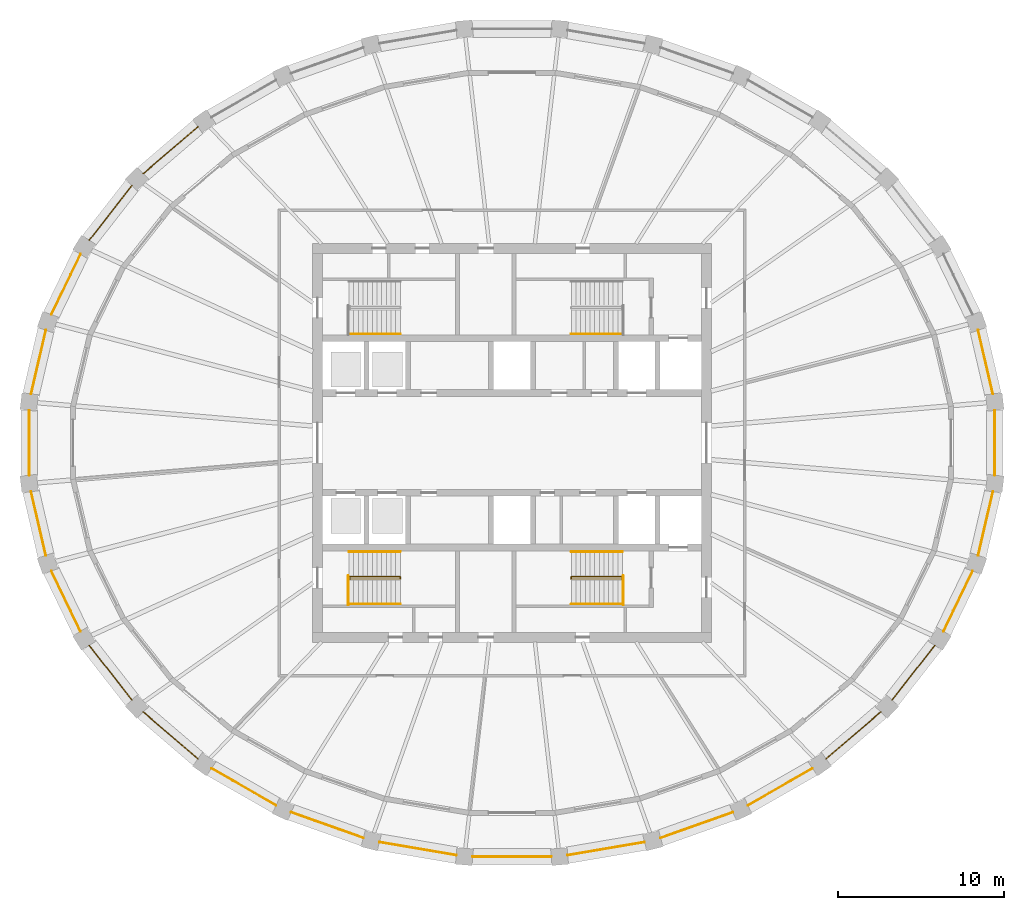
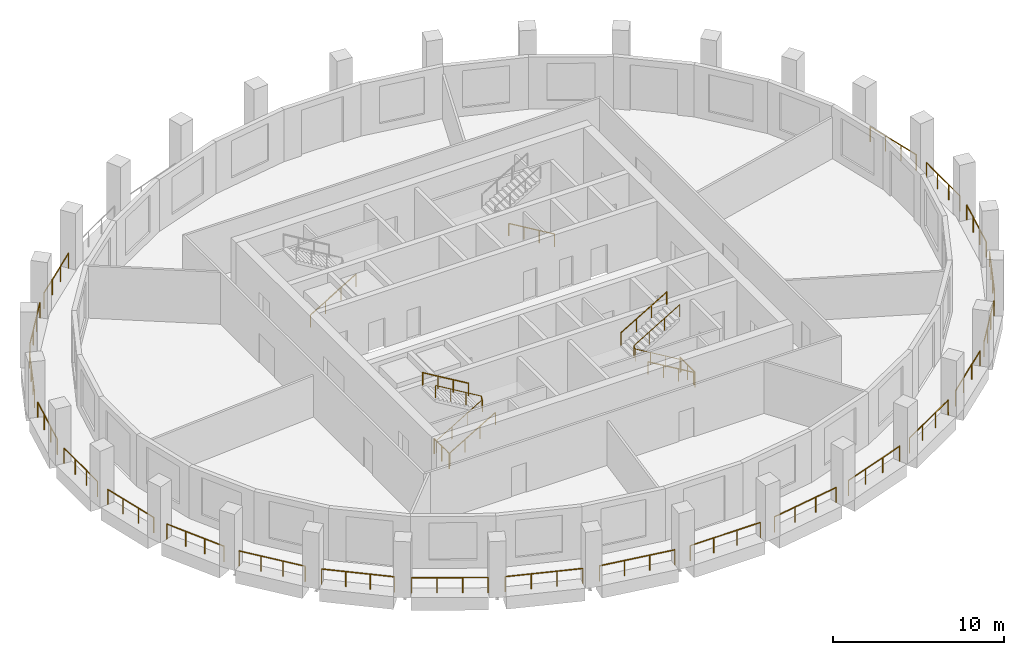
# One storey, part 8 of 10: 32 railings.
"""IFC4 building model written with IfcOpenShell, lengths in metres."""

import ifcopenshell
import ifcopenshell.guid

model = None  # the IFC model being written
_history = None  # IfcOwnerHistory: only IFC2X3 demands one
_inside = {}  # id of a spatial element -> (the spatial element, [elements in it])
_under = {}  # id of a project, library or spatial element -> (it, [spatial elements below it])
_declared = {}  # id of a project -> (the project, [libraries it declares])
_typed = {}  # id of a type object -> (the type object, [elements of that type])
_made_of = {}  # id of a material, layer set ... -> (it, [elements and type objects made of it])


def new_model(schema):
    """Start an empty IFC model of exactly this schema.

    Asked for "IFC4X3", IfcOpenShell would pick the latest addendum, in which some entities
    have other attributes; the version numbers below select the first issue.
    IFC2X3 requires an IfcOwnerHistory on every rooted entity: one is made here for all.
    """
    global model, _history
    if schema == "IFC4X3":
        model = ifcopenshell.file(schema_version=(4, 3, 0, 0))
    else:
        model = ifcopenshell.file(schema=schema)
    _inside.clear()
    _under.clear()
    _declared.clear()
    _typed.clear()
    _made_of.clear()
    _history = None
    if model.schema == "IFC2X3":
        org = make("IfcOrganization", Name="unknown")
        user = make(
            "IfcPersonAndOrganization",
            ThePerson=make("IfcPerson", FamilyName="unknown"),
            TheOrganization=org,
        )
        app = make(
            "IfcApplication",
            ApplicationDeveloper=org,
            Version="unknown",
            ApplicationFullName="unknown",
            ApplicationIdentifier="unknown",
        )
        _history = make(
            "IfcOwnerHistory",
            OwningUser=user,
            OwningApplication=app,
            ChangeAction="ADDED",
            CreationDate=0,
        )
    return model


def make(cls, **values):
    """One entity of the class cls with the attributes given. An attribute that is None is left unset."""
    return model.create_entity(
        cls, **{name: value for name, value in values.items() if value is not None}
    )


def rooted(cls, **values):
    """An entity with a GlobalId (a new one), such as an element, a storey or a relation."""
    return make(cls, GlobalId=ifcopenshell.guid.new(), OwnerHistory=_history, **values)


def si_unit(unit_type, name, prefix=None):
    """IfcSIUnit, for example si_unit("LENGTHUNIT", "METRE", prefix="MILLI")."""
    return make("IfcSIUnit", UnitType=unit_type, Prefix=prefix, Name=name)


def assignment(units):
    """IfcUnitAssignment: the units of a project."""
    return None if units is None else make("IfcUnitAssignment", Units=units)


def point(xyz):
    """IfcCartesianPoint."""
    return None if xyz is None else make("IfcCartesianPoint", Coordinates=xyz)


def direction(xyz):
    """IfcDirection."""
    return None if xyz is None else make("IfcDirection", DirectionRatios=xyz)


def frame(location, z_axis=None, x_axis=None):
    """IfcAxis2Placement3D, a coordinate frame: its origin and axes. An axis left out is left unset."""
    return make(
        "IfcAxis2Placement3D",
        Location=point(location),
        Axis=direction(z_axis),
        RefDirection=direction(x_axis),
    )


def frame_2d(location, x_axis=None):
    """IfcAxis2Placement2D, a coordinate frame in the plane: its origin and x axis."""
    return make(
        "IfcAxis2Placement2D", Location=point(location), RefDirection=direction(x_axis)
    )


def origin():
    """The frame at (0, 0, 0) with its axes left unset."""
    return frame((0.0, 0.0, 0.0))


def origin_2d():
    """The frame at (0, 0) in the plane with its x axis left unset."""
    return frame_2d((0.0, 0.0))


def place(relative_to, where):
    """IfcLocalPlacement: puts the frame where relative to a parent placement (None: the world)."""
    return make(
        "IfcLocalPlacement", PlacementRelTo=relative_to, RelativePlacement=where
    )


def context(
    kind, dimensions, precision=None, world=None, true_north=None, identifier=None
):
    """IfcGeometricRepresentationContext, for example the 3D "Model" context."""
    return make(
        "IfcGeometricRepresentationContext",
        ContextIdentifier=identifier,
        ContextType=kind,
        CoordinateSpaceDimension=dimensions,
        Precision=precision,
        WorldCoordinateSystem=world,
        TrueNorth=true_north,
    )


def subcontext(parent, identifier, kind, view, scale=None):
    """IfcGeometricRepresentationSubContext, for example "Body" below "Model"."""
    return make(
        "IfcGeometricRepresentationSubContext",
        ContextIdentifier=identifier,
        ContextType=kind,
        ParentContext=parent,
        TargetScale=scale,
        TargetView=view,
    )


def project(units=None, contexts=None):
    """IfcProject with its units and contexts."""
    return rooted(
        "IfcProject",
        Name="project",
        RepresentationContexts=contexts,
        UnitsInContext=assignment(units),
    )


def spatial(cls, under=None, at=None, **own):
    """A site, building, storey or space (cls), placed at a placement, below another one or the project."""
    s = rooted(cls, ObjectPlacement=at, **own)
    if under is not None:
        _under.setdefault(under.id(), (under, []))[1].append(s)
    return s


def profile(cls, at=None, kind="AREA", **sizes):
    """A parametric profile (cls). Its sizes go by their IFC names, for example OverallWidth=200.0."""
    return make(cls, ProfileType=kind, Position=at, **sizes)


def circle(**sizes):
    """IfcCircleProfileDef."""
    return profile("IfcCircleProfileDef", **sizes)


def extrude(swept, where, along, depth):
    """IfcExtrudedAreaSolid: the profile swept, set in the frame where, extruded along a direction by depth."""
    return make(
        "IfcExtrudedAreaSolid",
        SweptArea=swept,
        Position=where,
        ExtrudedDirection=direction(along),
        Depth=depth,
    )


def shape(context_of_items, identifier, shape_type, items):
    """IfcShapeRepresentation: the items that make up one representation, for example the "Body"."""
    return make(
        "IfcShapeRepresentation",
        ContextOfItems=context_of_items,
        RepresentationIdentifier=identifier,
        RepresentationType=shape_type,
        Items=items,
    )


def material(Name=None, Category=None):
    """IfcMaterial."""
    return make("IfcMaterial", Name=Name, Category=Category)


def made_of(thing, what):
    """Note that an element or type object is made of a material, layer set ...; save() writes the relation."""
    if what is not None:
        _made_of.setdefault(what.id(), (what, []))[1].append(thing)
    return thing


def type_object(cls, material=None, **own):
    """A type object (cls), such as IfcWallType, which elements share."""
    return made_of(rooted(cls, **own), material)


def element(
    cls,
    number,
    at=None,
    inside=None,
    cuts=None,
    type_object=None,
    material=None,
    context=None,
    identifier="Body",
    shape_type=None,
    held_by="IfcProductDefinitionShape",
    body=None,
    shapes=None,
    **own,
):
    """One element of the class cls, such as IfcWall. Its Tag is "e" and its number.

    at: its placement. inside: the storey or other place that contains it. cuts: it is an
    opening in that element (IfcRelVoidsElement). A single representation is given by context,
    identifier, shape_type and body (its items); several are given by shapes. held_by: the class
    of the entity that holds the representations. save() writes the other relations.
    """
    e = rooted(cls, Tag="e%d" % number, ObjectPlacement=at, **own)
    if body is not None:
        shapes = [shape(context, identifier, shape_type, body)]
    if shapes is not None:
        e.Representation = make(held_by, Representations=shapes)
    if inside is not None:
        _inside.setdefault(inside.id(), (inside, []))[1].append(e)
    if cuts is not None:
        rooted(
            "IfcRelVoidsElement", RelatingBuildingElement=cuts, RelatedOpeningElement=e
        )
    if type_object is not None:
        _typed.setdefault(type_object.id(), (type_object, []))[1].append(e)
    return made_of(e, material)


def aggregate(whole, parts):
    """IfcRelAggregates: a whole, such as a stair, and the parts it consists of."""
    return rooted("IfcRelAggregates", RelatingObject=whole, RelatedObjects=parts)


def save(model, path):
    """Write the relations noted so far, then the file.

    IfcRelAggregates (storeys below a building ...), IfcRelContainedInSpatialStructure (elements
    in a storey), IfcRelDefinesByType, IfcRelAssociatesMaterial and IfcRelDeclares: one each for
    every whole, place, type object, material and project.
    """
    for whole, parts in _under.values():
        aggregate(whole, parts)
    for where, things in _inside.values():
        rooted(
            "IfcRelContainedInSpatialStructure",
            RelatedElements=things,
            RelatingStructure=where,
        )
    for kind, things in _typed.values():
        rooted("IfcRelDefinesByType", RelatedObjects=things, RelatingType=kind)
    for what, things in _made_of.values():
        rooted("IfcRelAssociatesMaterial", RelatedObjects=things, RelatingMaterial=what)
    for by, libraries in _declared.values():
        rooted("IfcRelDeclares", RelatingContext=by, RelatedDefinitions=libraries)
    model.write(path)


model = new_model("IFC4")

# Units and contexts
model_context = context("Model", 3, precision=1e-05, world=origin(), true_north=direction((0.0, 1.0)))
body_context = subcontext(model_context, "Body", "Model", "MODEL_VIEW")
ifc_project = project(units=[si_unit("LENGTHUNIT", "METRE"), si_unit("AREAUNIT", "SQUARE_METRE"), si_unit("VOLUMEUNIT", "CUBIC_METRE"), si_unit("PLANEANGLEUNIT", "RADIAN"), si_unit("MASSUNIT", "GRAM", prefix="KILO")], contexts=[model_context])

# Site, building, storey
site_placement = place(None, origin())
site = spatial("IfcSite", under=ifc_project, at=site_placement, CompositionType="ELEMENT")
building_placement = place(site_placement, origin())
building = spatial("IfcBuilding", under=site, at=building_placement, Name="Halqa Exchange Tower", CompositionType="ELEMENT")
storey_placement = place(building_placement, frame((0.0, 0.0, 296.300048828125)))
storey = spatial("IfcBuildingStorey", under=building, at=storey_placement, Name="L69", CompositionType="ELEMENT", Elevation=296.300048828125)

# Railings
ifc_material = material(Name="Stainless steel", Category="steel")
railing_type_1 = type_object("IfcRailingType", Name="Guard 1100 stainless steel", PredefinedType="GUARDRAIL", material=ifc_material)
railing_1_placement = place(storey_placement, frame((28.9306640625, 2.93896484375, 0.0)))
element("IfcRailing", 1, at=railing_1_placement, inside=storey, type_object=railing_type_1, Name="Loggia guard 1", PredefinedType="GUARDRAIL", context=body_context, shape_type="SweptSolid", body=[
    extrude(circle(Radius=0.02392578125, at=origin_2d()), frame((0.0, 0.0, 1.076171875), z_axis=(-0.22607297296, 0.974110368951, 0.0), x_axis=(-0.974110368951, -0.22607297296, 0.0)), (0.0, 0.0, 1.0), 3.9375),
    extrude(circle(Radius=0.02099609375, at=origin_2d()), origin(), (0.0, 0.0, 1.0), 1.052001953125),
    extrude(circle(Radius=0.02099609375, at=origin_2d()), frame((-0.296630859375, 1.278564453125, 0.0)), (0.0, 0.0, 1.0), 1.052001953125),
    extrude(circle(Radius=0.02099609375, at=origin_2d()), frame((-0.593505859375, 2.556884765625, 0.0)), (0.0, 0.0, 1.0), 1.052001953125),
    extrude(circle(Radius=0.02099609375, at=origin_2d()), frame((-0.89013671875, 3.83544921875, 0.0)), (0.0, 0.0, 1.0), 1.052001953125),
])
railing_2_placement = place(storey_placement, frame((-18.893798828125, 19.011474609375, 0.0)))
element("IfcRailing", 2, at=railing_2_placement, inside=storey, type_object=railing_type_1, Name="Loggia guard 12", PredefinedType="GUARDRAIL", context=body_context, shape_type="SweptSolid", body=[
    extrude(circle(Radius=0.02392578125, at=origin_2d()), frame((0.0, 0.0, 1.076171875), z_axis=(-0.759256602365, -0.650791373456, 0.0), x_axis=(0.650791373456, -0.759256602365, 0.0)), (0.0, 0.0, 1.0), 4.328369140625),
    extrude(circle(Radius=0.02099609375, at=origin_2d()), origin(), (0.0, 0.0, 1.0), 1.052001953125),
    extrude(circle(Radius=0.02099609375, at=origin_2d()), frame((-1.095458984375, -0.93896484375, 0.0)), (0.0, 0.0, 1.0), 1.052001953125),
    extrude(circle(Radius=0.02099609375, at=origin_2d()), frame((-2.19091796875, -1.8779296875, 0.0)), (0.0, 0.0, 1.0), 1.052001953125),
    extrude(circle(Radius=0.02099609375, at=origin_2d()), frame((-3.286376953125, -2.81689453125, 0.0)), (0.0, 0.0, 1.0), 1.052001953125),
])
railing_3_placement = place(storey_placement, frame((-22.8671875, 15.47509765625, 0.0)))
element("IfcRailing", 3, at=railing_3_placement, inside=storey, type_object=railing_type_1, Name="Loggia guard 13", PredefinedType="GUARDRAIL", context=body_context, shape_type="SweptSolid", body=[
    extrude(circle(Radius=0.02392578125, at=origin_2d()), frame((0.0, 0.0, 1.076171875), z_axis=(-0.614799536048, -0.788683415875, 0.0), x_axis=(0.788683415875, -0.614799536048, 0.0)), (0.0, 0.0, 1.0), 4.169921875),
    extrude(circle(Radius=0.02099609375, at=origin_2d()), origin(), (0.0, 0.0, 1.0), 1.052001953125),
    extrude(circle(Radius=0.02099609375, at=origin_2d()), frame((-0.8544921875, -1.09619140625, 0.0)), (0.0, 0.0, 1.0), 1.052001953125),
    extrude(circle(Radius=0.02099609375, at=origin_2d()), frame((-1.709228515625, -2.192626953125, 0.0)), (0.0, 0.0, 1.0), 1.052001953125),
    extrude(circle(Radius=0.02099609375, at=origin_2d()), frame((-2.563720703125, -3.288818359375, 0.0)), (0.0, 0.0, 1.0), 1.052001953125),
])
railing_4_placement = place(storey_placement, frame((-25.955810546875, 11.341796875, 0.0)))
element("IfcRailing", 4, at=railing_4_placement, inside=storey, type_object=railing_type_1, Name="Loggia guard 14", PredefinedType="GUARDRAIL", context=body_context, shape_type="SweptSolid", body=[
    extrude(circle(Radius=0.02392578125, at=origin_2d()), frame((0.0, 0.0, 1.076171875), z_axis=(-0.435086028239, -0.90038888711, 0.0), x_axis=(0.90038888711, -0.435086028239, 0.0)), (0.0, 0.0, 1.0), 4.03173828125),
    extrude(circle(Radius=0.02099609375, at=origin_2d()), origin(), (0.0, 0.0, 1.0), 1.052001953125),
    extrude(circle(Radius=0.02099609375, at=origin_2d()), frame((-0.584716796875, -1.2099609375, 0.0)), (0.0, 0.0, 1.0), 1.052001953125),
    extrude(circle(Radius=0.02099609375, at=origin_2d()), frame((-1.16943359375, -2.420166015625, 0.0)), (0.0, 0.0, 1.0), 1.052001953125),
    extrude(circle(Radius=0.02099609375, at=origin_2d()), frame((-1.754150390625, -3.630126953125, 0.0)), (0.0, 0.0, 1.0), 1.052001953125),
])
railing_5_placement = place(storey_placement, frame((-28.04052734375, 6.7744140625, 0.0)))
element("IfcRailing", 5, at=railing_5_placement, inside=storey, type_object=railing_type_1, Name="Loggia guard 15", PredefinedType="GUARDRAIL", context=body_context, shape_type="SweptSolid", body=[
    extrude(circle(Radius=0.02392578125, at=origin_2d()), frame((0.0, 0.0, 1.076171875), z_axis=(-0.22607297296, -0.974110368951, 0.0), x_axis=(0.974110368951, -0.22607297296, 0.0)), (0.0, 0.0, 1.0), 3.9375),
    extrude(circle(Radius=0.02099609375, at=origin_2d()), origin(), (0.0, 0.0, 1.0), 1.052001953125),
    extrude(circle(Radius=0.02099609375, at=origin_2d()), frame((-0.296630859375, -1.278564453125, 0.0)), (0.0, 0.0, 1.0), 1.052001953125),
    extrude(circle(Radius=0.02099609375, at=origin_2d()), frame((-0.593505859375, -2.556884765625, 0.0)), (0.0, 0.0, 1.0), 1.052001953125),
    extrude(circle(Radius=0.02099609375, at=origin_2d()), frame((-0.89013671875, -3.83544921875, 0.0)), (0.0, 0.0, 1.0), 1.052001953125),
])
railing_6_placement = place(storey_placement, frame((-29.043701171875, 1.951904296875, 0.0)))
element("IfcRailing", 6, at=railing_6_placement, inside=storey, type_object=railing_type_1, Name="Loggia guard 16", PredefinedType="GUARDRAIL", context=body_context, shape_type="SweptSolid", body=[
    extrude(circle(Radius=0.02392578125, at=origin_2d()), frame((0.0, 0.0, 1.076171875), z_axis=(0.0, -1.0, 0.0), x_axis=(1.0, 0.0, 0.0)), (0.0, 0.0, 1.0), 3.90380859375),
    extrude(circle(Radius=0.02099609375, at=origin_2d()), origin(), (0.0, 0.0, 1.0), 1.052001953125),
    extrude(circle(Radius=0.02099609375, at=origin_2d()), frame((0.0, -1.30126953125, 0.0)), (0.0, 0.0, 1.0), 1.052001953125),
    extrude(circle(Radius=0.02099609375, at=origin_2d()), frame((0.0, -2.6025390625, 0.0)), (0.0, 0.0, 1.0), 1.052001953125),
    extrude(circle(Radius=0.02099609375, at=origin_2d()), frame((0.0, -3.90380859375, 0.0)), (0.0, 0.0, 1.0), 1.052001953125),
])
railing_7_placement = place(storey_placement, frame((-28.9306640625, -2.93896484375, 0.0)))
element("IfcRailing", 7, at=railing_7_placement, inside=storey, type_object=railing_type_1, Name="Loggia guard 17", PredefinedType="GUARDRAIL", context=body_context, shape_type="SweptSolid", body=[
    extrude(circle(Radius=0.02392578125, at=origin_2d()), frame((0.0, 0.0, 1.076171875), z_axis=(0.22607297296, -0.974110368951, 0.0), x_axis=(0.974110368951, 0.22607297296, 0.0)), (0.0, 0.0, 1.0), 3.9375),
    extrude(circle(Radius=0.02099609375, at=origin_2d()), origin(), (0.0, 0.0, 1.0), 1.052001953125),
    extrude(circle(Radius=0.02099609375, at=origin_2d()), frame((0.296630859375, -1.278564453125, 0.0)), (0.0, 0.0, 1.0), 1.052001953125),
    extrude(circle(Radius=0.02099609375, at=origin_2d()), frame((0.593505859375, -2.556884765625, 0.0)), (0.0, 0.0, 1.0), 1.052001953125),
    extrude(circle(Radius=0.02099609375, at=origin_2d()), frame((0.89013671875, -3.83544921875, 0.0)), (0.0, 0.0, 1.0), 1.052001953125),
])
railing_8_placement = place(storey_placement, frame((-27.7099609375, -7.711669921875, 0.0)))
element("IfcRailing", 8, at=railing_8_placement, inside=storey, type_object=railing_type_1, Name="Loggia guard 18", PredefinedType="GUARDRAIL", context=body_context, shape_type="SweptSolid", body=[
    extrude(circle(Radius=0.02392578125, at=origin_2d()), frame((0.0, 0.0, 1.076171875), z_axis=(0.435086028239, -0.90038888711, 0.0), x_axis=(0.90038888711, 0.435086028239, 0.0)), (0.0, 0.0, 1.0), 4.03173828125),
    extrude(circle(Radius=0.02099609375, at=origin_2d()), origin(), (0.0, 0.0, 1.0), 1.052001953125),
    extrude(circle(Radius=0.02099609375, at=origin_2d()), frame((0.584716796875, -1.2099609375, 0.0)), (0.0, 0.0, 1.0), 1.052001953125),
    extrude(circle(Radius=0.02099609375, at=origin_2d()), frame((1.16943359375, -2.420166015625, 0.0)), (0.0, 0.0, 1.0), 1.052001953125),
    extrude(circle(Radius=0.02099609375, at=origin_2d()), frame((1.754150390625, -3.630126953125, 0.0)), (0.0, 0.0, 1.0), 1.052001953125),
])
railing_9_placement = place(storey_placement, frame((-25.430908203125, -12.186279296875, 0.0)))
element("IfcRailing", 9, at=railing_9_placement, inside=storey, type_object=railing_type_1, Name="Loggia guard 19", PredefinedType="GUARDRAIL", context=body_context, shape_type="SweptSolid", body=[
    extrude(circle(Radius=0.02392578125, at=origin_2d()), frame((0.0, 0.0, 1.076171875), z_axis=(0.614799536048, -0.788683415875, 0.0), x_axis=(0.788683415875, 0.614799536048, 0.0)), (0.0, 0.0, 1.0), 4.169921875),
    extrude(circle(Radius=0.02099609375, at=origin_2d()), origin(), (0.0, 0.0, 1.0), 1.052001953125),
    extrude(circle(Radius=0.02099609375, at=origin_2d()), frame((0.8544921875, -1.09619140625, 0.0)), (0.0, 0.0, 1.0), 1.052001953125),
    extrude(circle(Radius=0.02099609375, at=origin_2d()), frame((1.709228515625, -2.192626953125, 0.0)), (0.0, 0.0, 1.0), 1.052001953125),
    extrude(circle(Radius=0.02099609375, at=origin_2d()), frame((2.563720703125, -3.288818359375, 0.0)), (0.0, 0.0, 1.0), 1.052001953125),
])
railing_10_placement = place(storey_placement, frame((-22.18017578125, -16.194580078125, 0.0)))
element("IfcRailing", 10, at=railing_10_placement, inside=storey, type_object=railing_type_1, Name="Loggia guard 20", PredefinedType="GUARDRAIL", context=body_context, shape_type="SweptSolid", body=[
    extrude(circle(Radius=0.02392578125, at=origin_2d()), frame((0.0, 0.0, 1.076171875), z_axis=(0.759256602365, -0.650791373456, 0.0), x_axis=(0.650791373456, 0.759256602365, 0.0)), (0.0, 0.0, 1.0), 4.328369140625),
    extrude(circle(Radius=0.02099609375, at=origin_2d()), origin(), (0.0, 0.0, 1.0), 1.052001953125),
    extrude(circle(Radius=0.02099609375, at=origin_2d()), frame((1.095458984375, -0.93896484375, 0.0)), (0.0, 0.0, 1.0), 1.052001953125),
    extrude(circle(Radius=0.02099609375, at=origin_2d()), frame((2.19091796875, -1.8779296875, 0.0)), (0.0, 0.0, 1.0), 1.052001953125),
    extrude(circle(Radius=0.02099609375, at=origin_2d()), frame((3.286376953125, -2.81689453125, 0.0)), (0.0, 0.0, 1.0), 1.052001953125),
])
railing_11_placement = place(storey_placement, frame((-18.080322265625, -19.58544921875, 0.0)))
element("IfcRailing", 11, at=railing_11_placement, inside=storey, type_object=railing_type_1, Name="Loggia guard 21", PredefinedType="GUARDRAIL", context=body_context, shape_type="SweptSolid", body=[
    extrude(circle(Radius=0.02392578125, at=origin_2d()), frame((0.0, 0.0, 1.076171875), z_axis=(0.867770081803, -0.496965879239, 0.0), x_axis=(0.496965879239, 0.867770081803, 0.0)), (0.0, 0.0, 1.0), 4.481689453125),
    extrude(circle(Radius=0.02099609375, at=origin_2d()), origin(), (0.0, 0.0, 1.0), 1.052001953125),
    extrude(circle(Radius=0.02099609375, at=origin_2d()), frame((1.29638671875, -0.742431640625, 0.0)), (0.0, 0.0, 1.0), 1.052001953125),
    extrude(circle(Radius=0.02099609375, at=origin_2d()), frame((2.5927734375, -1.48486328125, 0.0)), (0.0, 0.0, 1.0), 1.052001953125),
    extrude(circle(Radius=0.02099609375, at=origin_2d()), frame((3.88916015625, -2.227294921875, 0.0)), (0.0, 0.0, 1.0), 1.052001953125),
])
railing_12_placement = place(storey_placement, frame((-13.2861328125, -22.228515625, 0.0)))
element("IfcRailing", 12, at=railing_12_placement, inside=storey, type_object=railing_type_1, Name="Loggia guard 22", PredefinedType="GUARDRAIL", context=body_context, shape_type="SweptSolid", body=[
    extrude(circle(Radius=0.02392578125, at=origin_2d()), frame((0.0, 0.0, 1.076171875), z_axis=(0.942370647396, -0.334570714388, 0.0), x_axis=(0.334570714388, 0.942370647396, 0.0)), (0.0, 0.0, 1.0), 4.60888671875),
    extrude(circle(Radius=0.02099609375, at=origin_2d()), origin(), (0.0, 0.0, 1.0), 1.052001953125),
    extrude(circle(Radius=0.02099609375, at=origin_2d()), frame((1.44775390625, -0.513916015625, 0.0)), (0.0, 0.0, 1.0), 1.052001953125),
    extrude(circle(Radius=0.02099609375, at=origin_2d()), frame((2.8955078125, -1.028076171875, 0.0)), (0.0, 0.0, 1.0), 1.052001953125),
    extrude(circle(Radius=0.02099609375, at=origin_2d()), frame((4.34326171875, -1.5419921875, 0.0)), (0.0, 0.0, 1.0), 1.052001953125),
])
railing_13_placement = place(storey_placement, frame((-7.978759765625, -24.02197265625, 0.0)))
element("IfcRailing", 13, at=railing_13_placement, inside=storey, type_object=railing_type_1, Name="Loggia guard 23", PredefinedType="GUARDRAIL", context=body_context, shape_type="SweptSolid", body=[
    extrude(circle(Radius=0.02392578125, at=origin_2d()), frame((0.0, 0.0, 1.076171875), z_axis=(0.98577534907, -0.168068322908, 0.0), x_axis=(0.168068322908, 0.98577534907, 0.0)), (0.0, 0.0, 1.0), 4.69189453125),
    extrude(circle(Radius=0.02099609375, at=origin_2d()), origin(), (0.0, 0.0, 1.0), 1.052001953125),
    extrude(circle(Radius=0.02099609375, at=origin_2d()), frame((1.541748046875, -0.262939453125, 0.0)), (0.0, 0.0, 1.0), 1.052001953125),
    extrude(circle(Radius=0.02099609375, at=origin_2d()), frame((3.08349609375, -0.525634765625, 0.0)), (0.0, 0.0, 1.0), 1.052001953125),
    extrude(circle(Radius=0.02099609375, at=origin_2d()), frame((4.625244140625, -0.78857421875, 0.0)), (0.0, 0.0, 1.0), 1.052001953125),
])
railing_14_placement = place(storey_placement, frame((-2.360595703125, -24.89453125, 0.0)))
element("IfcRailing", 14, at=railing_14_placement, inside=storey, type_object=railing_type_1, Name="Loggia guard 24", PredefinedType="GUARDRAIL", context=body_context, shape_type="SweptSolid", body=[
    extrude(circle(Radius=0.02392578125, at=origin_2d()), frame((0.0, 0.0, 1.076171875), z_axis=(1.0, 0.0, 0.0), x_axis=(0.0, 1.0, 0.0)), (0.0, 0.0, 1.0), 4.72119140625),
    extrude(circle(Radius=0.02099609375, at=origin_2d()), origin(), (0.0, 0.0, 1.0), 1.052001953125),
    extrude(circle(Radius=0.02099609375, at=origin_2d()), frame((1.57373046875, 0.0, 0.0)), (0.0, 0.0, 1.0), 1.052001953125),
    extrude(circle(Radius=0.02099609375, at=origin_2d()), frame((3.1474609375, 0.0, 0.0)), (0.0, 0.0, 1.0), 1.052001953125),
    extrude(circle(Radius=0.02099609375, at=origin_2d()), frame((4.72119140625, 0.0, 0.0)), (0.0, 0.0, 1.0), 1.052001953125),
])
railing_15_placement = place(storey_placement, frame((3.353515625, -24.810546875, 0.0)))
element("IfcRailing", 15, at=railing_15_placement, inside=storey, type_object=railing_type_1, Name="Loggia guard 25", PredefinedType="GUARDRAIL", context=body_context, shape_type="SweptSolid", body=[
    extrude(circle(Radius=0.02392578125, at=origin_2d()), frame((0.0, 0.0, 1.076171875), z_axis=(0.98577534907, 0.168068322908, 0.0), x_axis=(-0.168068322908, 0.98577534907, 0.0)), (0.0, 0.0, 1.0), 4.69189453125),
    extrude(circle(Radius=0.02099609375, at=origin_2d()), origin(), (0.0, 0.0, 1.0), 1.052001953125),
    extrude(circle(Radius=0.02099609375, at=origin_2d()), frame((1.541748046875, 0.262939453125, 0.0)), (0.0, 0.0, 1.0), 1.052001953125),
    extrude(circle(Radius=0.02099609375, at=origin_2d()), frame((3.08349609375, 0.525634765625, 0.0)), (0.0, 0.0, 1.0), 1.052001953125),
    extrude(circle(Radius=0.02099609375, at=origin_2d()), frame((4.625244140625, 0.78857421875, 0.0)), (0.0, 0.0, 1.0), 1.052001953125),
])
railing_16_placement = place(storey_placement, frame((8.94287109375, -23.7705078125, 0.0)))
element("IfcRailing", 16, at=railing_16_placement, inside=storey, type_object=railing_type_1, Name="Loggia guard 26", PredefinedType="GUARDRAIL", context=body_context, shape_type="SweptSolid", body=[
    extrude(circle(Radius=0.02392578125, at=origin_2d()), frame((0.0, 0.0, 1.076171875), z_axis=(0.942370647396, 0.334570714388, 0.0), x_axis=(-0.334570714388, 0.942370647396, 0.0)), (0.0, 0.0, 1.0), 4.60888671875),
    extrude(circle(Radius=0.02099609375, at=origin_2d()), origin(), (0.0, 0.0, 1.0), 1.052001953125),
    extrude(circle(Radius=0.02099609375, at=origin_2d()), frame((1.44775390625, 0.513916015625, 0.0)), (0.0, 0.0, 1.0), 1.052001953125),
    extrude(circle(Radius=0.02099609375, at=origin_2d()), frame((2.8955078125, 1.028076171875, 0.0)), (0.0, 0.0, 1.0), 1.052001953125),
    extrude(circle(Radius=0.02099609375, at=origin_2d()), frame((4.34326171875, 1.5419921875, 0.0)), (0.0, 0.0, 1.0), 1.052001953125),
])
railing_17_placement = place(storey_placement, frame((14.191162109375, -21.812744140625, 0.0)))
element("IfcRailing", 17, at=railing_17_placement, inside=storey, type_object=railing_type_1, Name="Loggia guard 27", PredefinedType="GUARDRAIL", context=body_context, shape_type="SweptSolid", body=[
    extrude(circle(Radius=0.02392578125, at=origin_2d()), frame((0.0, 0.0, 1.076171875), z_axis=(0.867770081803, 0.496965879239, 0.0), x_axis=(-0.496965879239, 0.867770081803, 0.0)), (0.0, 0.0, 1.0), 4.481689453125),
    extrude(circle(Radius=0.02099609375, at=origin_2d()), origin(), (0.0, 0.0, 1.0), 1.052001953125),
    extrude(circle(Radius=0.02099609375, at=origin_2d()), frame((1.29638671875, 0.742431640625, 0.0)), (0.0, 0.0, 1.0), 1.052001953125),
    extrude(circle(Radius=0.02099609375, at=origin_2d()), frame((2.5927734375, 1.48486328125, 0.0)), (0.0, 0.0, 1.0), 1.052001953125),
    extrude(circle(Radius=0.02099609375, at=origin_2d()), frame((3.88916015625, 2.227294921875, 0.0)), (0.0, 0.0, 1.0), 1.052001953125),
])
railing_18_placement = place(storey_placement, frame((18.893798828125, -19.011474609375, 0.0)))
element("IfcRailing", 18, at=railing_18_placement, inside=storey, type_object=railing_type_1, Name="Loggia guard 28", PredefinedType="GUARDRAIL", context=body_context, shape_type="SweptSolid", body=[
    extrude(circle(Radius=0.02392578125, at=origin_2d()), frame((0.0, 0.0, 1.076171875), z_axis=(0.759256602365, 0.650791373456, 0.0), x_axis=(-0.650791373456, 0.759256602365, 0.0)), (0.0, 0.0, 1.0), 4.328369140625),
    extrude(circle(Radius=0.02099609375, at=origin_2d()), origin(), (0.0, 0.0, 1.0), 1.052001953125),
    extrude(circle(Radius=0.02099609375, at=origin_2d()), frame((1.095458984375, 0.93896484375, 0.0)), (0.0, 0.0, 1.0), 1.052001953125),
    extrude(circle(Radius=0.02099609375, at=origin_2d()), frame((2.19091796875, 1.8779296875, 0.0)), (0.0, 0.0, 1.0), 1.052001953125),
    extrude(circle(Radius=0.02099609375, at=origin_2d()), frame((3.286376953125, 2.81689453125, 0.0)), (0.0, 0.0, 1.0), 1.052001953125),
])
railing_19_placement = place(storey_placement, frame((22.8671875, -15.47509765625, 0.0)))
element("IfcRailing", 19, at=railing_19_placement, inside=storey, type_object=railing_type_1, Name="Loggia guard 29", PredefinedType="GUARDRAIL", context=body_context, shape_type="SweptSolid", body=[
    extrude(circle(Radius=0.02392578125, at=origin_2d()), frame((0.0, 0.0, 1.076171875), z_axis=(0.614799536048, 0.788683415875, 0.0), x_axis=(-0.788683415875, 0.614799536048, 0.0)), (0.0, 0.0, 1.0), 4.169921875),
    extrude(circle(Radius=0.02099609375, at=origin_2d()), origin(), (0.0, 0.0, 1.0), 1.052001953125),
    extrude(circle(Radius=0.02099609375, at=origin_2d()), frame((0.8544921875, 1.09619140625, 0.0)), (0.0, 0.0, 1.0), 1.052001953125),
    extrude(circle(Radius=0.02099609375, at=origin_2d()), frame((1.709228515625, 2.192626953125, 0.0)), (0.0, 0.0, 1.0), 1.052001953125),
    extrude(circle(Radius=0.02099609375, at=origin_2d()), frame((2.563720703125, 3.288818359375, 0.0)), (0.0, 0.0, 1.0), 1.052001953125),
])
railing_20_placement = place(storey_placement, frame((25.955810546875, -11.341796875, 0.0)))
element("IfcRailing", 20, at=railing_20_placement, inside=storey, type_object=railing_type_1, Name="Loggia guard 30", PredefinedType="GUARDRAIL", context=body_context, shape_type="SweptSolid", body=[
    extrude(circle(Radius=0.02392578125, at=origin_2d()), frame((0.0, 0.0, 1.076171875), z_axis=(0.435086028239, 0.90038888711, 0.0), x_axis=(-0.90038888711, 0.435086028239, 0.0)), (0.0, 0.0, 1.0), 4.03173828125),
    extrude(circle(Radius=0.02099609375, at=origin_2d()), origin(), (0.0, 0.0, 1.0), 1.052001953125),
    extrude(circle(Radius=0.02099609375, at=origin_2d()), frame((0.584716796875, 1.2099609375, 0.0)), (0.0, 0.0, 1.0), 1.052001953125),
    extrude(circle(Radius=0.02099609375, at=origin_2d()), frame((1.16943359375, 2.420166015625, 0.0)), (0.0, 0.0, 1.0), 1.052001953125),
    extrude(circle(Radius=0.02099609375, at=origin_2d()), frame((1.754150390625, 3.630126953125, 0.0)), (0.0, 0.0, 1.0), 1.052001953125),
])
railing_21_placement = place(storey_placement, frame((28.04052734375, -6.7744140625, 0.0)))
element("IfcRailing", 21, at=railing_21_placement, inside=storey, type_object=railing_type_1, Name="Loggia guard 31", PredefinedType="GUARDRAIL", context=body_context, shape_type="SweptSolid", body=[
    extrude(circle(Radius=0.02392578125, at=origin_2d()), frame((0.0, 0.0, 1.076171875), z_axis=(0.22607297296, 0.974110368951, 0.0), x_axis=(-0.974110368951, 0.22607297296, 0.0)), (0.0, 0.0, 1.0), 3.9375),
    extrude(circle(Radius=0.02099609375, at=origin_2d()), origin(), (0.0, 0.0, 1.0), 1.052001953125),
    extrude(circle(Radius=0.02099609375, at=origin_2d()), frame((0.296630859375, 1.278564453125, 0.0)), (0.0, 0.0, 1.0), 1.052001953125),
    extrude(circle(Radius=0.02099609375, at=origin_2d()), frame((0.593505859375, 2.556884765625, 0.0)), (0.0, 0.0, 1.0), 1.052001953125),
    extrude(circle(Radius=0.02099609375, at=origin_2d()), frame((0.89013671875, 3.83544921875, 0.0)), (0.0, 0.0, 1.0), 1.052001953125),
])
railing_22_placement = place(storey_placement, frame((29.043701171875, -1.951904296875, 0.0)))
element("IfcRailing", 22, at=railing_22_placement, inside=storey, type_object=railing_type_1, Name="Loggia guard 32", PredefinedType="GUARDRAIL", context=body_context, shape_type="SweptSolid", body=[
    extrude(circle(Radius=0.02392578125, at=origin_2d()), frame((0.0, 0.0, 1.076171875), z_axis=(0.0, 1.0, 0.0), x_axis=(-1.0, 0.0, 0.0)), (0.0, 0.0, 1.0), 3.90380859375),
    extrude(circle(Radius=0.02099609375, at=origin_2d()), origin(), (0.0, 0.0, 1.0), 1.052001953125),
    extrude(circle(Radius=0.02099609375, at=origin_2d()), frame((0.0, 1.30126953125, 0.0)), (0.0, 0.0, 1.0), 1.052001953125),
    extrude(circle(Radius=0.02099609375, at=origin_2d()), frame((0.0, 2.6025390625, 0.0)), (0.0, 0.0, 1.0), 1.052001953125),
    extrude(circle(Radius=0.02099609375, at=origin_2d()), frame((0.0, 3.90380859375, 0.0)), (0.0, 0.0, 1.0), 1.052001953125),
])
railing_type_2 = type_object("IfcRailingType", Name="Stair handrail 900", PredefinedType="HANDRAIL", material=ifc_material)
railing_23_placement = place(storey_placement, frame((-9.800048828125, 6.550048828125, 0.166748046875)))
element("IfcRailing", 23, at=railing_23_placement, inside=storey, type_object=railing_type_2, Name="Handrail ST1.2", PredefinedType="HANDRAIL", context=body_context, shape_type="SweptSolid", body=[
    extrude(circle(Radius=0.02392578125, at=origin_2d()), frame((0.0, 0.0, 0.8759765625), z_axis=(0.859308565015, 0.0, 0.511457515432), x_axis=(0.0, 1.0, 0.0)), (0.0, 0.0, 1.0), 3.58447265625),
    extrude(circle(Radius=0.02099609375, at=origin_2d()), origin(), (0.0, 0.0, 1.0), 0.851806640625),
    extrude(circle(Radius=0.02099609375, at=origin_2d()), frame((1.026611328125, 0.0, 0.611083984375)), (0.0, 0.0, 1.0), 0.851806640625),
    extrude(circle(Radius=0.02099609375, at=origin_2d()), frame((2.053466796875, 0.0, 1.22216796875)), (0.0, 0.0, 1.0), 0.851806640625),
    extrude(circle(Radius=0.02099609375, at=origin_2d()), frame((3.080078125, 0.0, 1.833251953125)), (0.0, 0.0, 1.0), 0.851806640625),
])
railing_24_placement = place(storey_placement, frame((6.64990234375, 6.550048828125, 0.166748046875)))
element("IfcRailing", 24, at=railing_24_placement, inside=storey, type_object=railing_type_2, Name="Handrail ST2.2", PredefinedType="HANDRAIL", context=body_context, shape_type="SweptSolid", body=[
    extrude(circle(Radius=0.02392578125, at=origin_2d()), frame((0.0, 0.0, 0.8759765625), z_axis=(-0.859290745958, 0.0, 0.51148745235), x_axis=(0.0, -1.0, 0.0)), (0.0, 0.0, 1.0), 3.584228515625),
    extrude(circle(Radius=0.02099609375, at=origin_2d()), origin(), (0.0, 0.0, 1.0), 0.851806640625),
    extrude(circle(Radius=0.02099609375, at=origin_2d()), frame((-1.026611328125, 0.0, 0.611083984375)), (0.0, 0.0, 1.0), 0.851806640625),
    extrude(circle(Radius=0.02099609375, at=origin_2d()), frame((-2.05322265625, 0.0, 1.22216796875)), (0.0, 0.0, 1.0), 0.851806640625),
    extrude(circle(Radius=0.02099609375, at=origin_2d()), frame((-3.079833984375, 0.0, 1.833251953125)), (0.0, 0.0, 1.0), 0.851806640625),
])
railing_25_placement = place(storey_placement, frame((-9.800048828125, -8.18994140625, 0.166748046875)))
element("IfcRailing", 25, at=railing_25_placement, inside=storey, type_object=railing_type_2, Name="Handrail ST3.1", PredefinedType="HANDRAIL", context=body_context, shape_type="SweptSolid", body=[
    extrude(circle(Radius=0.02392578125, at=origin_2d()), frame((0.0, 0.0, 0.8759765625), z_axis=(0.859308565015, 0.0, 0.511457515432), x_axis=(0.0, 1.0, 0.0)), (0.0, 0.0, 1.0), 3.58447265625),
    extrude(circle(Radius=0.02392578125, at=origin_2d()), frame((3.080078125, 0.0, 2.708984375), z_axis=(0.0, 0.614500226555, 0.788916644243), x_axis=(-1.0, 0.0, 0.0)), (0.0, 0.0, 1.0), 0.21142578125),
    extrude(circle(Radius=0.02392578125, at=origin_2d()), frame((3.080078125, 0.1298828125, 2.8759765625), z_axis=(-0.859308565015, 0.0, 0.511457515432), x_axis=(0.0, -1.0, 0.0)), (0.0, 0.0, 1.0), 3.58447265625),
    extrude(circle(Radius=0.02099609375, at=origin_2d()), origin(), (0.0, 0.0, 1.0), 0.851806640625),
    extrude(circle(Radius=0.02099609375, at=origin_2d()), frame((1.026611328125, 0.0, 0.611083984375)), (0.0, 0.0, 1.0), 0.851806640625),
    extrude(circle(Radius=0.02099609375, at=origin_2d()), frame((2.053466796875, 0.0, 1.22216796875)), (0.0, 0.0, 1.0), 0.851806640625),
    extrude(circle(Radius=0.02099609375, at=origin_2d()), frame((3.080078125, 0.0, 1.833251953125)), (0.0, 0.0, 1.0), 0.851806640625),
    extrude(circle(Radius=0.02099609375, at=origin_2d()), frame((3.080078125, 0.1298828125, 2.0)), (0.0, 0.0, 1.0), 0.851806640625),
    extrude(circle(Radius=0.02099609375, at=origin_2d()), frame((2.053466796875, 0.1298828125, 2.611083984375)), (0.0, 0.0, 1.0), 0.851806640625),
    extrude(circle(Radius=0.02099609375, at=origin_2d()), frame((1.026611328125, 0.1298828125, 3.22216796875)), (0.0, 0.0, 1.0), 0.851806640625),
    extrude(circle(Radius=0.02099609375, at=origin_2d()), frame((0.0, 0.1298828125, 3.833251953125)), (0.0, 0.0, 1.0), 0.851806640625),
])
railing_26_placement = place(storey_placement, frame((-9.800048828125, -9.699951171875, 0.166748046875)))
element("IfcRailing", 26, at=railing_26_placement, inside=storey, type_object=railing_type_2, Name="Handrail ST3.2", PredefinedType="HANDRAIL", context=body_context, shape_type="SweptSolid", body=[
    extrude(circle(Radius=0.02392578125, at=origin_2d()), frame((0.0, 0.0, 0.8759765625), z_axis=(0.859308565015, 0.0, 0.511457515432), x_axis=(0.0, 1.0, 0.0)), (0.0, 0.0, 1.0), 3.58447265625),
    extrude(circle(Radius=0.02099609375, at=origin_2d()), origin(), (0.0, 0.0, 1.0), 0.851806640625),
    extrude(circle(Radius=0.02099609375, at=origin_2d()), frame((1.026611328125, 0.0, 0.611083984375)), (0.0, 0.0, 1.0), 0.851806640625),
    extrude(circle(Radius=0.02099609375, at=origin_2d()), frame((2.053466796875, 0.0, 1.22216796875)), (0.0, 0.0, 1.0), 0.851806640625),
    extrude(circle(Radius=0.02099609375, at=origin_2d()), frame((3.080078125, 0.0, 1.833251953125)), (0.0, 0.0, 1.0), 0.851806640625),
])
railing_27_placement = place(storey_placement, frame((-6.719970703125, -6.550048828125, 2.166748046875)))
element("IfcRailing", 27, at=railing_27_placement, inside=storey, type_object=railing_type_2, Name="Handrail ST3.3", PredefinedType="HANDRAIL", context=body_context, shape_type="SweptSolid", body=[
    extrude(circle(Radius=0.02392578125, at=origin_2d()), frame((0.0, 0.0, 0.8759765625), z_axis=(-0.859308565015, 0.0, 0.511457515432), x_axis=(0.0, -1.0, 0.0)), (0.0, 0.0, 1.0), 3.58447265625),
    extrude(circle(Radius=0.02099609375, at=origin_2d()), origin(), (0.0, 0.0, 1.0), 0.851806640625),
    extrude(circle(Radius=0.02099609375, at=origin_2d()), frame((-1.026611328125, 0.0, 0.611083984375)), (0.0, 0.0, 1.0), 0.851806640625),
    extrude(circle(Radius=0.02099609375, at=origin_2d()), frame((-2.053466796875, 0.0, 1.22216796875)), (0.0, 0.0, 1.0), 0.851806640625),
    extrude(circle(Radius=0.02099609375, at=origin_2d()), frame((-3.080078125, 0.0, 1.833251953125)), (0.0, 0.0, 1.0), 0.851806640625),
])
railing_28_placement = place(storey_placement, frame((6.64990234375, -8.18994140625, 0.166748046875)))
element("IfcRailing", 28, at=railing_28_placement, inside=storey, type_object=railing_type_2, Name="Handrail ST4.1", PredefinedType="HANDRAIL", context=body_context, shape_type="SweptSolid", body=[
    extrude(circle(Radius=0.02392578125, at=origin_2d()), frame((0.0, 0.0, 0.8759765625), z_axis=(-0.859290745958, 0.0, 0.51148745235), x_axis=(0.0, -1.0, 0.0)), (0.0, 0.0, 1.0), 3.584228515625),
    extrude(circle(Radius=0.02392578125, at=origin_2d()), frame((-3.079833984375, 0.0, 2.708984375), z_axis=(0.0, 0.614500226555, 0.788916644243), x_axis=(-1.0, 0.0, 0.0)), (0.0, 0.0, 1.0), 0.21142578125),
    extrude(circle(Radius=0.02392578125, at=origin_2d()), frame((-3.079833984375, 0.1298828125, 2.8759765625), z_axis=(0.859290745958, 0.0, 0.51148745235), x_axis=(0.0, 1.0, 0.0)), (0.0, 0.0, 1.0), 3.584228515625),
    extrude(circle(Radius=0.02099609375, at=origin_2d()), origin(), (0.0, 0.0, 1.0), 0.851806640625),
    extrude(circle(Radius=0.02099609375, at=origin_2d()), frame((-1.026611328125, 0.0, 0.611083984375)), (0.0, 0.0, 1.0), 0.851806640625),
    extrude(circle(Radius=0.02099609375, at=origin_2d()), frame((-2.05322265625, 0.0, 1.22216796875)), (0.0, 0.0, 1.0), 0.851806640625),
    extrude(circle(Radius=0.02099609375, at=origin_2d()), frame((-3.079833984375, 0.0, 1.833251953125)), (0.0, 0.0, 1.0), 0.851806640625),
    extrude(circle(Radius=0.02099609375, at=origin_2d()), frame((-3.079833984375, 0.1298828125, 2.0)), (0.0, 0.0, 1.0), 0.851806640625),
    extrude(circle(Radius=0.02099609375, at=origin_2d()), frame((-2.05322265625, 0.1298828125, 2.611083984375)), (0.0, 0.0, 1.0), 0.851806640625),
    extrude(circle(Radius=0.02099609375, at=origin_2d()), frame((-1.026611328125, 0.1298828125, 3.22216796875)), (0.0, 0.0, 1.0), 0.851806640625),
    extrude(circle(Radius=0.02099609375, at=origin_2d()), frame((0.0, 0.1298828125, 3.833251953125)), (0.0, 0.0, 1.0), 0.851806640625),
])
railing_29_placement = place(storey_placement, frame((6.64990234375, -9.699951171875, 0.166748046875)))
element("IfcRailing", 29, at=railing_29_placement, inside=storey, type_object=railing_type_2, Name="Handrail ST4.2", PredefinedType="HANDRAIL", context=body_context, shape_type="SweptSolid", body=[
    extrude(circle(Radius=0.02392578125, at=origin_2d()), frame((0.0, 0.0, 0.8759765625), z_axis=(-0.859290745958, 0.0, 0.51148745235), x_axis=(0.0, -1.0, 0.0)), (0.0, 0.0, 1.0), 3.584228515625),
    extrude(circle(Radius=0.02099609375, at=origin_2d()), origin(), (0.0, 0.0, 1.0), 0.851806640625),
    extrude(circle(Radius=0.02099609375, at=origin_2d()), frame((-1.026611328125, 0.0, 0.611083984375)), (0.0, 0.0, 1.0), 0.851806640625),
    extrude(circle(Radius=0.02099609375, at=origin_2d()), frame((-2.05322265625, 0.0, 1.22216796875)), (0.0, 0.0, 1.0), 0.851806640625),
    extrude(circle(Radius=0.02099609375, at=origin_2d()), frame((-3.079833984375, 0.0, 1.833251953125)), (0.0, 0.0, 1.0), 0.851806640625),
])
railing_30_placement = place(storey_placement, frame((3.570068359375, -6.550048828125, 2.166748046875)))
element("IfcRailing", 30, at=railing_30_placement, inside=storey, type_object=railing_type_2, Name="Handrail ST4.3", PredefinedType="HANDRAIL", context=body_context, shape_type="SweptSolid", body=[
    extrude(circle(Radius=0.02392578125, at=origin_2d()), frame((0.0, 0.0, 0.8759765625), z_axis=(0.859290745958, 0.0, 0.51148745235), x_axis=(0.0, 1.0, 0.0)), (0.0, 0.0, 1.0), 3.584228515625),
    extrude(circle(Radius=0.02099609375, at=origin_2d()), origin(), (0.0, 0.0, 1.0), 0.851806640625),
    extrude(circle(Radius=0.02099609375, at=origin_2d()), frame((1.026611328125, 0.0, 0.611083984375)), (0.0, 0.0, 1.0), 0.851806640625),
    extrude(circle(Radius=0.02099609375, at=origin_2d()), frame((2.05322265625, 0.0, 1.22216796875)), (0.0, 0.0, 1.0), 0.851806640625),
    extrude(circle(Radius=0.02099609375, at=origin_2d()), frame((3.079833984375, 0.0, 1.833251953125)), (0.0, 0.0, 1.0), 0.851806640625),
])
railing_type_3 = type_object("IfcRailingType", Name="Stair well guard 1100", PredefinedType="GUARDRAIL", material=ifc_material)
for number, where, name in (
    (31, (-9.85009765625, -9.75, 0.0), "Guard ST3 well"),
    (32, (6.699951171875, -9.75, 0.0), "Guard ST4 well"),
):
    element("IfcRailing", number, at=place(storey_placement, frame(where)), inside=storey, type_object=railing_type_3, Name=name, PredefinedType="GUARDRAIL", context=body_context, shape_type="SweptSolid", body=[
        extrude(circle(Radius=0.02392578125, at=origin_2d()), frame((0.0, 0.0, 1.076171875), z_axis=(0.0, 1.0, 0.0), x_axis=(-1.0, 0.0, 0.0)), (0.0, 0.0, 1.0), 1.75),
        extrude(circle(Radius=0.02099609375, at=origin_2d()), origin(), (0.0, 0.0, 1.0), 1.052001953125),
        extrude(circle(Radius=0.02099609375, at=origin_2d()), frame((0.0, 0.875, 0.0)), (0.0, 0.0, 1.0), 1.052001953125),
        extrude(circle(Radius=0.02099609375, at=origin_2d()), frame((0.0, 1.75, 0.0)), (0.0, 0.0, 1.0), 1.052001953125),
    ])

save(model, "model.ifc")
